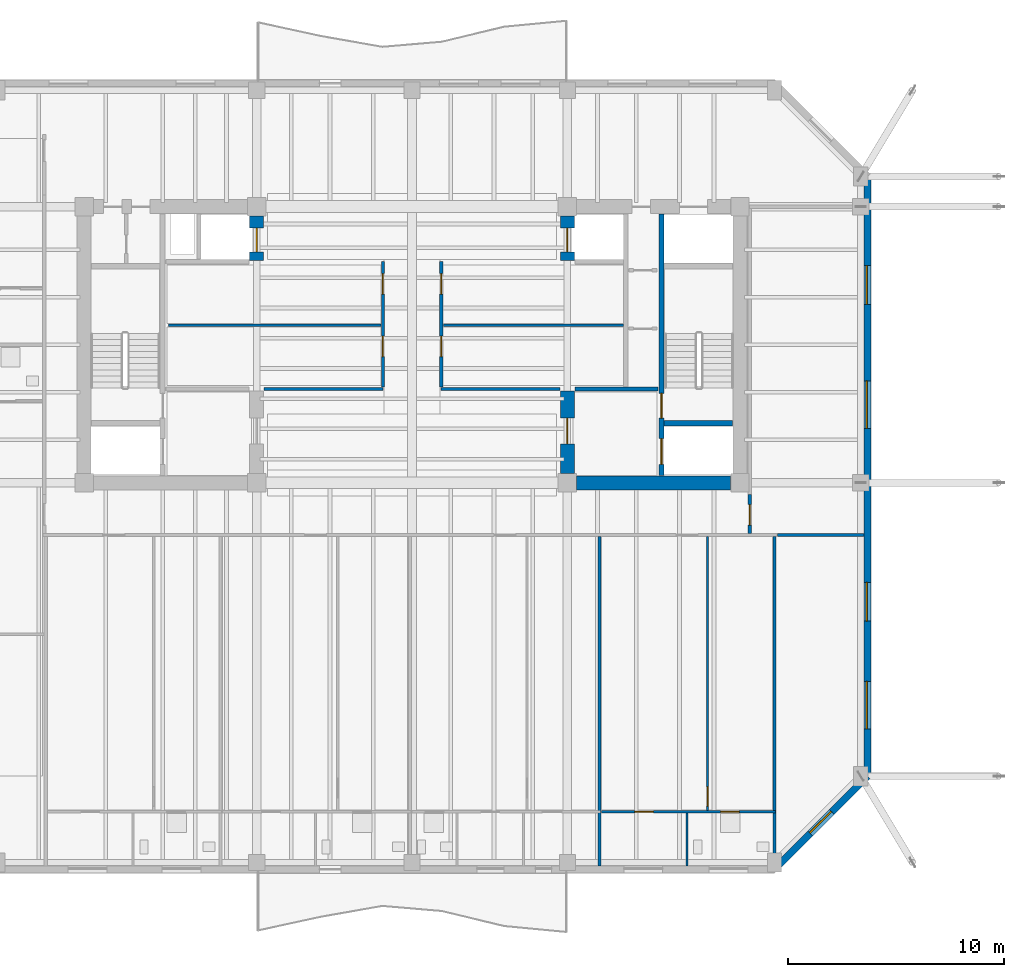
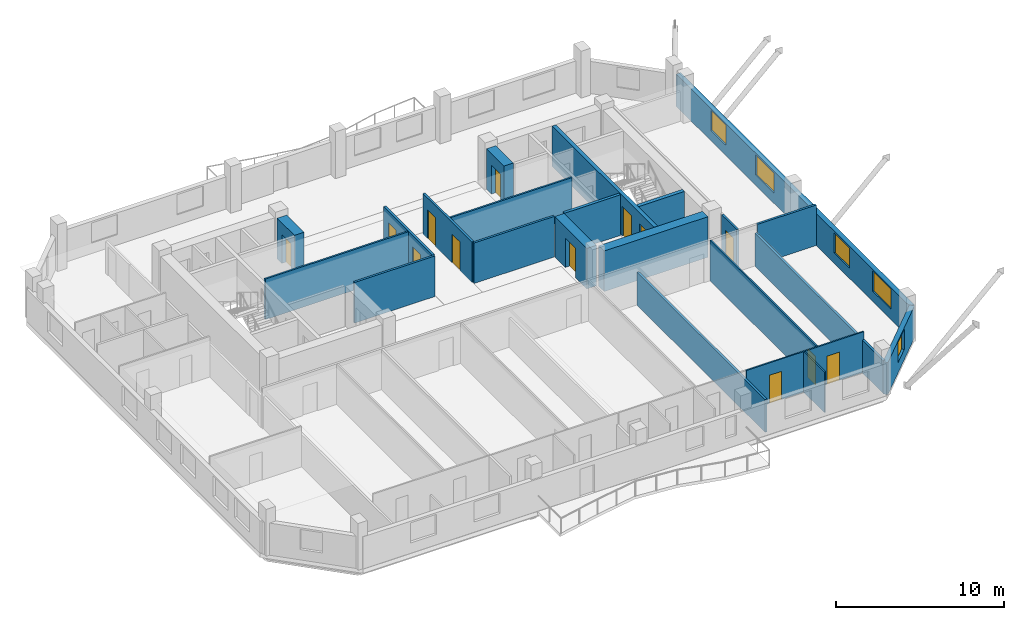
# One storey, part 6 of 12: 22 walls, 13 doors, 5 windows, 18 openings.
"""IFC4 building model written with IfcOpenShell, lengths in metres."""

from ifc_helpers import new_model, si_unit, direction, frame, frame_2d, origin, place, context, subcontext, project, spatial, rectangle, extrude, material, layer, layer_set, type_object, element, fill, save


model = new_model("IFC4")

# Units and contexts
model_context = context("Model", 3, precision=1e-05, world=origin(), true_north=direction((0.0, 1.0)))
body_context = subcontext(model_context, "Body", "Model", "MODEL_VIEW")
ifc_project = project(units=[si_unit("LENGTHUNIT", "METRE"), si_unit("AREAUNIT", "SQUARE_METRE"), si_unit("VOLUMEUNIT", "CUBIC_METRE"), si_unit("PLANEANGLEUNIT", "RADIAN"), si_unit("MASSUNIT", "GRAM", prefix="KILO")], contexts=[model_context])

# Site, building, storey
site_placement = place(None, origin())
site = spatial("IfcSite", under=ifc_project, at=site_placement, CompositionType="ELEMENT")
building_placement = place(site_placement, origin())
building = spatial("IfcBuilding", under=site, at=building_placement, Name="Kranthara Brick Stack", CompositionType="ELEMENT")
storey_placement = place(building_placement, frame((0.0, 0.0, 224.5)))
storey = spatial("IfcBuildingStorey", under=building, at=storey_placement, Name="L58", CompositionType="ELEMENT", Elevation=224.5)

# Wall, openings, windows
ifc_material_1 = material(Name="Warm buff clay brick masonry M15", Category="masonry")
ifc_layer_1 = layer(ifc_material_1, 0.320068359375)
ifc_layer_set_1 = layer_set([ifc_layer_1], Name="Warm buff clay brick masonry M15")
wall_type_1 = type_object("IfcWallType", Name="WL-BRK-UPPR-320", PredefinedType="STANDARD", material=ifc_layer_set_1)
wall_1_placement = place(storey_placement, frame((49.1201171875, 35.0, 0.0), z_axis=(0.0, 0.0, 1.0), x_axis=(0.0, -1.0, 0.0)))
wall_1 = element("IfcWall", 1, at=wall_1_placement, inside=storey, type_object=wall_type_1, Name="L58 Exterior Brick Facade Wall EAST 1", PredefinedType="STANDARD", context=body_context, shape_type="SweptSolid", body=[
    extrude(rectangle(XDim=27.800048828125, YDim=0.320068359375, at=frame_2d((13.89990234375, 0.0))), origin(), (0.0, 0.0, 1.0), 2.3349609375),
])
opening_1_placement = place(wall_1_placement, frame((4.1279296875, 0.0, 0.75)))
opening_1 = element("IfcOpeningElement", 2, at=opening_1_placement, cuts=wall_1, Name="Opening WN07", PredefinedType="OPENING", context=body_context, shape_type="SweptSolid", body=[
    extrude(rectangle(XDim=1.800048828125, YDim=1.465087890625, at=frame_2d((0.89990234375, 0.732421875))), frame((0.0, 0.169921875, 0.0), z_axis=(0.0, -1.0, 0.0), x_axis=(1.0, 0.0, 0.0)), (0.0, 0.0, 1.0), 0.340087890625),
])
opening_2_placement = place(wall_1_placement, frame((9.471923828125, 0.0, 0.75)))
opening_2 = element("IfcOpeningElement", 3, at=opening_2_placement, cuts=wall_1, Name="Opening WN08", PredefinedType="OPENING", context=body_context, shape_type="SweptSolid", body=[
    extrude(rectangle(XDim=2.199951171875, YDim=1.465087890625, at=frame_2d((1.10009765625, 0.732421875))), frame((0.0, 0.169921875, 0.0), z_axis=(0.0, -1.0, 0.0), x_axis=(1.0, 0.0, 0.0)), (0.0, 0.0, 1.0), 0.340087890625),
])
opening_3_placement = place(wall_1_placement, frame((18.81494140625, 0.0, 0.75)))
opening_3 = element("IfcOpeningElement", 4, at=opening_3_placement, cuts=wall_1, Name="Opening WN07", PredefinedType="OPENING", context=body_context, shape_type="SweptSolid", body=[
    extrude(rectangle(XDim=1.800048828125, YDim=1.465087890625, at=frame_2d((0.89990234375, 0.732421875))), frame((0.0, 0.169921875, 0.0), z_axis=(0.0, -1.0, 0.0), x_axis=(1.0, 0.0, 0.0)), (0.0, 0.0, 1.0), 0.340087890625),
])
opening_4_placement = place(wall_1_placement, frame((23.405029296875, 0.0, 0.75)))
opening_4 = element("IfcOpeningElement", 5, at=opening_4_placement, cuts=wall_1, Name="Opening WN08", PredefinedType="OPENING", context=body_context, shape_type="SweptSolid", body=[
    extrude(rectangle(XDim=2.199951171875, YDim=1.465087890625, at=frame_2d((1.10009765625, 0.732421875))), frame((0.0, 0.169921875, 0.0), z_axis=(0.0, -1.0, 0.0), x_axis=(1.0, 0.0, 0.0)), (0.0, 0.0, 1.0), 0.340087890625),
])
ifc_material_2 = material(Name="Double-glazed low-E solar control glass", Category="glass")
window_type_1 = type_object("IfcWindowType", Name="WN-RES-1800x1850", PartitioningType="DOUBLE_PANEL_VERTICAL", PredefinedType="WINDOW", material=ifc_material_2)
window_1_placement = place(opening_1_placement, origin())
window_1 = element("IfcWindow", 6, at=window_1_placement, inside=storey, type_object=window_type_1, Name="L58 East Deep-Set Brick Window 01", OverallHeight=1.465087890625, OverallWidth=1.800048828125, PartitioningType="SINGLE_PANEL", PredefinedType="WINDOW", context=body_context, shape_type="SweptSolid", body=[
    extrude(rectangle(XDim=1.800048828125, YDim=1.465087890625, at=frame_2d((0.89990234375, 0.732421875))), frame((0.0, -0.010009765625, 0.0), z_axis=(0.0, -1.0, 0.0), x_axis=(1.0, 0.0, 0.0)), (0.0, 0.0, 1.0), 0.06005859375),
])
fill(opening_1, window_1)
window_2_placement = place(opening_3_placement, origin())
window_2 = element("IfcWindow", 7, at=window_2_placement, inside=storey, type_object=window_type_1, Name="L58 East Deep-Set Brick Window 03", OverallHeight=1.465087890625, OverallWidth=1.800048828125, PartitioningType="SINGLE_PANEL", PredefinedType="WINDOW", context=body_context, shape_type="SweptSolid", body=[
    extrude(rectangle(XDim=1.800048828125, YDim=1.465087890625, at=frame_2d((0.89990234375, 0.732421875))), frame((0.0, -0.010009765625, 0.0), z_axis=(0.0, -1.0, 0.0), x_axis=(1.0, 0.0, 0.0)), (0.0, 0.0, 1.0), 0.06005859375),
])
fill(opening_3, window_2)
ifc_material_3 = material(Name="Double-glazed low-E solar control glass", Category="glass")
window_type_2 = type_object("IfcWindowType", Name="WN-RES-2200x1850", PartitioningType="TRIPLE_PANEL_VERTICAL", PredefinedType="WINDOW", material=ifc_material_3)
window_3_placement = place(opening_2_placement, origin())
window_3 = element("IfcWindow", 8, at=window_3_placement, inside=storey, type_object=window_type_2, Name="L58 East Deep-Set Brick Window 02", OverallHeight=1.465087890625, OverallWidth=2.199951171875, PartitioningType="SINGLE_PANEL", PredefinedType="WINDOW", context=body_context, shape_type="SweptSolid", body=[
    extrude(rectangle(XDim=2.199951171875, YDim=1.465087890625, at=frame_2d((1.10009765625, 0.732421875))), frame((0.0, -0.010009765625, 0.0), z_axis=(0.0, -1.0, 0.0), x_axis=(1.0, 0.0, 0.0)), (0.0, 0.0, 1.0), 0.06005859375),
])
fill(opening_2, window_3)
window_4_placement = place(opening_4_placement, origin())
window_4 = element("IfcWindow", 9, at=window_4_placement, inside=storey, type_object=window_type_2, Name="L58 East Deep-Set Brick Window 04", OverallHeight=1.465087890625, OverallWidth=2.199951171875, PartitioningType="SINGLE_PANEL", PredefinedType="WINDOW", context=body_context, shape_type="SweptSolid", body=[
    extrude(rectangle(XDim=2.199951171875, YDim=1.465087890625, at=frame_2d((1.10009765625, 0.732421875))), frame((0.0, -0.010009765625, 0.0), z_axis=(0.0, -1.0, 0.0), x_axis=(1.0, 0.0, 0.0)), (0.0, 0.0, 1.0), 0.06005859375),
])
fill(opening_4, window_4)

# Wall, opening, window
wall_2_placement = place(storey_placement, frame((49.1201171875, 7.199951171875, 0.0), z_axis=(0.0, 0.0, 1.0), x_axis=(-0.707106781187, -0.707106781187, 0.0)))
wall_2 = element("IfcWall", 10, at=wall_2_placement, inside=storey, type_object=wall_type_1, Name="L58 Exterior Brick Facade Wall SE 1", PredefinedType="STANDARD", context=body_context, shape_type="SweptSolid", body=[
    extrude(rectangle(XDim=6.109619140625, YDim=0.320068359375, at=frame_2d((3.0546875, 0.0))), origin(), (0.0, 0.0, 1.0), 2.3349609375),
])
opening_5_placement = place(wall_2_placement, frame((2.35498046875, 0.0, 0.75)))
opening_5 = element("IfcOpeningElement", 11, at=opening_5_placement, cuts=wall_2, Name="Opening WN10", PredefinedType="OPENING", context=body_context, shape_type="SweptSolid", body=[
    extrude(rectangle(XDim=1.39990234375, YDim=1.465087890625, at=frame_2d((0.699951171875, 0.732421875))), frame((0.0, 0.169921875, 0.0), z_axis=(0.0, -1.0, 0.0), x_axis=(1.0, 0.0, 0.0)), (0.0, 0.0, 1.0), 0.340087890625),
])
ifc_material_4 = material(Name="Double-glazed low-E solar control glass", Category="glass")
window_type_3 = type_object("IfcWindowType", Name="WN-CHM-1400x1750", PartitioningType="SINGLE_PANEL", PredefinedType="WINDOW", material=ifc_material_4)
window_5_placement = place(opening_5_placement, origin())
window_5 = element("IfcWindow", 12, at=window_5_placement, inside=storey, type_object=window_type_3, Name="L58 SE Chamfer Corner Window", OverallHeight=1.465087890625, OverallWidth=1.39990234375, PartitioningType="SINGLE_PANEL", PredefinedType="WINDOW", context=body_context, shape_type="SweptSolid", body=[
    extrude(rectangle(XDim=1.39990234375, YDim=1.465087890625, at=frame_2d((0.699951171875, 0.732421875))), frame((0.0, -0.010009765625, 0.0), z_axis=(0.0, -1.0, 0.0), x_axis=(1.0, 0.0, 0.0)), (0.0, 0.0, 1.0), 0.06005859375),
])
fill(opening_5, window_5)

# Wall, openings, doors
ifc_material_5 = material(Name="Concrete C50/60", Category="concrete")
ifc_layer_2 = layer(ifc_material_5, 0.25)
ifc_layer_set_2 = layer_set([ifc_layer_2], Name="Concrete C50/60")
wall_type_2 = type_object("IfcWallType", Name="WL-CORE-250", PredefinedType="SHEAR", material=ifc_layer_set_2)
wall_3_placement = place(storey_placement, frame((39.56494140625, 21.135009765625, 0.0), z_axis=(0.0, 0.0, 1.0), x_axis=(0.0, 1.0, 0.0)))
wall_3 = element("IfcWall", 13, at=wall_3_placement, inside=storey, type_object=wall_type_2, Name="L58 East Core Stair Bearing Spine Wall", PredefinedType="SHEAR", context=body_context, shape_type="SweptSolid", body=[
    extrude(rectangle(XDim=12.1298828125, YDim=0.25, at=frame_2d((6.06494140625, 0.0))), origin(), (0.0, 0.0, 1.0), 2.949951171875),
])
opening_6_placement = place(wall_3_placement, frame((0.514892578125, 0.0, 0.0)))
opening_6 = element("IfcOpeningElement", 14, at=opening_6_placement, cuts=wall_3, Name="Opening LD01", PredefinedType="OPENING", context=body_context, shape_type="SweptSolid", body=[
    extrude(rectangle(XDim=1.199951171875, YDim=2.14990234375, at=frame_2d((0.60009765625, 1.074951171875))), frame((0.0, 0.135009765625, 0.0), z_axis=(0.0, -1.0, 0.0), x_axis=(1.0, 0.0, 0.0)), (0.0, 0.0, 1.0), 0.27001953125),
])
opening_7_placement = place(wall_3_placement, frame((2.6650390625, 0.0, 0.0)))
opening_7 = element("IfcOpeningElement", 15, at=opening_7_placement, cuts=wall_3, Name="Opening D05", PredefinedType="OPENING", context=body_context, shape_type="SweptSolid", body=[
    extrude(rectangle(XDim=1.14990234375, YDim=2.14990234375, at=frame_2d((0.574951171875, 1.074951171875))), frame((0.0, 0.135009765625, 0.0), z_axis=(0.0, -1.0, 0.0), x_axis=(1.0, 0.0, 0.0)), (0.0, 0.0, 1.0), 0.27001953125),
])
ifc_material_6 = material(Name="Stainless steel sliding landing door", Category="steel")
door_type_1 = type_object("IfcDoorType", Name="DR-LD-FF1200", OperationType="DOUBLE_DOOR_SLIDING", PredefinedType="DOOR", material=ifc_material_6)
door_1_placement = place(opening_6_placement, origin())
door_1 = element("IfcDoor", 16, at=door_1_placement, inside=storey, type_object=door_type_1, Name="L58 Firefighting Lift FF-02 Landing Door", OperationType="DOUBLE_DOOR_SLIDING", OverallHeight=2.14990234375, OverallWidth=1.199951171875, PredefinedType="DOOR", context=body_context, shape_type="SweptSolid", body=[
    extrude(rectangle(XDim=1.199951171875, YDim=2.14990234375, at=frame_2d((0.60009765625, 1.074951171875))), frame((0.0, 0.02490234375, 0.0), z_axis=(0.0, -1.0, 0.0), x_axis=(1.0, 0.0, 0.0)), (0.0, 0.0, 1.0), 0.050048828125),
])
fill(opening_6, door_1)
ifc_material_7 = material(Name="Solid-core hardwood timber leaf in steel frame", Category="steel")
door_type_2 = type_object("IfcDoorType", Name="DR-ST-1150", OperationType="NOTDEFINED", PredefinedType="DOOR", material=ifc_material_7)
door_2_placement = place(opening_7_placement, origin())
door_2 = element("IfcDoor", 17, at=door_2_placement, inside=storey, type_object=door_type_2, Name="L58 Exit Stair ST02 Door", OperationType="SINGLE_SWING_LEFT", OverallHeight=2.14990234375, OverallWidth=1.14990234375, PredefinedType="DOOR", context=body_context, shape_type="SweptSolid", body=[
    extrude(rectangle(XDim=1.14990234375, YDim=2.14990234375, at=frame_2d((0.574951171875, 1.074951171875))), frame((0.0, 0.02490234375, 0.0), z_axis=(0.0, -1.0, 0.0), x_axis=(1.0, 0.0, 0.0)), (0.0, 0.0, 1.0), 0.050048828125),
])
fill(opening_7, door_2)

# Wall
wall_4_placement = place(storey_placement, frame((39.68994140625, 23.570068359375, 0.0), z_axis=(0.0, 0.0, 1.0), x_axis=(1.0, 0.0, 0.0)))
element("IfcWall", 18, at=wall_4_placement, inside=storey, type_object=wall_type_2, Name="L58 East Stairwell Bearing Wall EFF", PredefinedType="SHEAR", context=body_context, shape_type="SweptSolid", body=[
    extrude(rectangle(XDim=3.175048828125, YDim=0.25, at=frame_2d((1.58740234375, 0.0))), origin(), (0.0, 0.0, 1.0), 2.949951171875),
])

# Wall, opening, door
ifc_material_8 = material(Name="Concrete C60/75", Category="concrete")
ifc_layer_3 = layer(ifc_material_8, 0.64990234375)
ifc_layer_set_3 = layer_set([ifc_layer_3], Name="Concrete C60/75")
wall_type_3 = type_object("IfcWallType", Name="WL-CORE-650", PredefinedType="SHEAR", material=ifc_layer_set_3)
wall_5_placement = place(storey_placement, frame((20.800048828125, 31.10009765625, 0.0), z_axis=(0.0, 0.0, 1.0), x_axis=(0.0, 1.0, 0.0)))
wall_5 = element("IfcWall", 19, at=wall_5_placement, inside=storey, type_object=wall_type_3, Name="L58 West Core High-Rise Lift Wall", PredefinedType="SHEAR", context=body_context, shape_type="SweptSolid", body=[
    extrude(rectangle(XDim=2.06982421875, YDim=0.64990234375, at=frame_2d((1.034912109375, 0.0))), origin(), (0.0, 0.0, 1.0), 2.949951171875),
])
opening_8_placement = place(wall_5_placement, frame((0.39990234375, 0.0, 0.0)))
opening_8 = element("IfcOpeningElement", 20, at=opening_8_placement, cuts=wall_5, Name="Opening LD02", PredefinedType="OPENING", context=body_context, shape_type="SweptSolid", body=[
    extrude(rectangle(XDim=1.10009765625, YDim=2.10009765625, at=frame_2d((0.550048828125, 1.050048828125))), frame((0.0, 0.3349609375, 0.0), z_axis=(0.0, -1.0, 0.0), x_axis=(1.0, 0.0, 0.0)), (0.0, 0.0, 1.0), 0.669921875),
])
ifc_material_9 = material(Name="Stainless steel sliding landing door", Category="steel")
door_type_3 = type_object("IfcDoorType", Name="DR-LD-PL1100", OperationType="DOUBLE_DOOR_SLIDING", PredefinedType="DOOR", material=ifc_material_9)
door_3_placement = place(opening_8_placement, origin())
door_3 = element("IfcDoor", 21, at=door_3_placement, inside=storey, type_object=door_type_3, Name="L58 PL-07 Lift Landing Door", OperationType="DOUBLE_DOOR_SLIDING", OverallHeight=2.10009765625, OverallWidth=1.10009765625, PredefinedType="DOOR", context=body_context, shape_type="SweptSolid", body=[
    extrude(rectangle(XDim=1.10009765625, YDim=2.10009765625, at=frame_2d((0.550048828125, 1.050048828125))), frame((0.0, 0.02490234375, 0.0), z_axis=(0.0, -1.0, 0.0), x_axis=(1.0, 0.0, 0.0)), (0.0, 0.0, 1.0), 0.050048828125),
])
fill(opening_8, door_3)

# Wall
wall_6_placement = place(storey_placement, frame((35.6298828125, 20.800048828125, 0.0), z_axis=(0.0, 0.0, 1.0), x_axis=(1.0, 0.0, 0.0)))
element("IfcWall", 22, at=wall_6_placement, inside=storey, type_object=wall_type_3, Name="L58 East Core Shear Wall South", PredefinedType="SHEAR", context=body_context, shape_type="SweptSolid", body=[
    extrude(rectangle(XDim=7.14013671875, YDim=0.64990234375, at=frame_2d((3.570068359375, 0.0))), origin(), (0.0, 0.0, 1.0), 2.949951171875),
])

# Wall, opening, door
wall_7_placement = place(storey_placement, frame((35.199951171875, 21.22998046875, 0.0), z_axis=(0.0, 0.0, 1.0), x_axis=(0.0, 1.0, 0.0)))
wall_7 = element("IfcWall", 23, at=wall_7_placement, inside=storey, type_object=wall_type_3, Name="L58 East Core Lobby Shear Wall", PredefinedType="SHEAR", context=body_context, shape_type="SweptSolid", body=[
    extrude(rectangle(XDim=3.820068359375, YDim=0.64990234375, at=frame_2d((1.91015625, 0.0))), origin(), (0.0, 0.0, 1.0), 2.949951171875),
])
opening_9_placement = place(wall_7_placement, frame((1.3701171875, 0.0, 0.0)))
opening_9 = element("IfcOpeningElement", 24, at=opening_9_placement, cuts=wall_7, Name="Opening D06", PredefinedType="OPENING", context=body_context, shape_type="SweptSolid", body=[
    extrude(rectangle(XDim=1.199951171875, YDim=2.14990234375, at=frame_2d((0.60009765625, 1.074951171875))), frame((0.0, 0.3349609375, 0.0), z_axis=(0.0, -1.0, 0.0), x_axis=(1.0, 0.0, 0.0)), (0.0, 0.0, 1.0), 0.669921875),
])
ifc_material_10 = material(Name="Solid-core hardwood timber leaf in steel frame", Category="steel")
door_type_4 = type_object("IfcDoorType", Name="DR-FFL-1200", OperationType="NOTDEFINED", PredefinedType="DOOR", material=ifc_material_10)
door_4_placement = place(opening_9_placement, origin())
door_4 = element("IfcDoor", 25, at=door_4_placement, inside=storey, type_object=door_type_4, Name="L58 East Firefighting Lobby Door", OperationType="SINGLE_SWING_RIGHT", OverallHeight=2.14990234375, OverallWidth=1.199951171875, PredefinedType="DOOR", context=body_context, shape_type="SweptSolid", body=[
    extrude(rectangle(XDim=1.199951171875, YDim=2.14990234375, at=frame_2d((0.60009765625, 1.074951171875))), frame((0.0, 0.02490234375, 0.0), z_axis=(0.0, -1.0, 0.0), x_axis=(1.0, 0.0, 0.0)), (0.0, 0.0, 1.0), 0.050048828125),
])
fill(opening_9, door_4)

wall_8_placement = place(storey_placement, frame((35.199951171875, 31.10009765625, 0.0), z_axis=(0.0, 0.0, 1.0), x_axis=(0.0, 1.0, 0.0)))
wall_8 = element("IfcWall", 26, at=wall_8_placement, inside=storey, type_object=wall_type_3, Name="L58 East Core High-Rise Lift Wall", PredefinedType="SHEAR", context=body_context, shape_type="SweptSolid", body=[
    extrude(rectangle(XDim=2.06982421875, YDim=0.64990234375, at=frame_2d((1.034912109375, 0.0))), origin(), (0.0, 0.0, 1.0), 2.949951171875),
])
opening_10_placement = place(wall_8_placement, frame((0.39990234375, 0.0, 0.0)))
opening_10 = element("IfcOpeningElement", 27, at=opening_10_placement, cuts=wall_8, Name="Opening LD02", PredefinedType="OPENING", context=body_context, shape_type="SweptSolid", body=[
    extrude(rectangle(XDim=1.10009765625, YDim=2.10009765625, at=frame_2d((0.550048828125, 1.050048828125))), frame((0.0, 0.3349609375, 0.0), z_axis=(0.0, -1.0, 0.0), x_axis=(1.0, 0.0, 0.0)), (0.0, 0.0, 1.0), 0.669921875),
])
door_5_placement = place(opening_10_placement, origin())
door_5 = element("IfcDoor", 28, at=door_5_placement, inside=storey, type_object=door_type_3, Name="L58 PL-08 Lift Landing Door", OperationType="DOUBLE_DOOR_SLIDING", OverallHeight=2.10009765625, OverallWidth=1.10009765625, PredefinedType="DOOR", context=body_context, shape_type="SweptSolid", body=[
    extrude(rectangle(XDim=1.10009765625, YDim=2.10009765625, at=frame_2d((0.550048828125, 1.050048828125))), frame((0.0, 0.02490234375, 0.0), z_axis=(0.0, -1.0, 0.0), x_axis=(1.0, 0.0, 0.0)), (0.0, 0.0, 1.0), 0.050048828125),
])
fill(opening_10, door_5)

# Wall, openings, doors
ifc_material_11 = material(Name="Moisture-resistant wet-room partition", Category="other")
ifc_layer_4 = layer(ifc_material_11, 0.10009765625)
ifc_layer_set_4 = layer_set([ifc_layer_4], Name="Moisture-resistant wet-room partition")
wall_type_4 = type_object("IfcWallType", Name="WL-PART-100", PredefinedType="PARTITIONING", material=ifc_layer_set_4)
wall_9_placement = place(storey_placement, frame((36.77294921875, 5.550048828125, 0.0), z_axis=(0.0, 0.0, 1.0), x_axis=(1.0, 0.0, 0.0)))
wall_9 = element("IfcWall", 29, at=wall_9_placement, inside=storey, type_object=wall_type_4, Name="L58 Interior Partition 025", PredefinedType="PARTITIONING", context=body_context, shape_type="SweptSolid", body=[
    extrude(rectangle(XDim=8.067138671875, YDim=0.10009765625, at=frame_2d((4.03369140625, 0.0))), origin(), (0.0, 0.0, 1.0), 2.949951171875),
])
opening_11_placement = place(wall_9_placement, frame((1.56103515625, 0.0, 0.0)))
opening_11 = element("IfcOpeningElement", 30, at=opening_11_placement, cuts=wall_9, Name="Opening D16", PredefinedType="OPENING", context=body_context, shape_type="SweptSolid", body=[
    extrude(rectangle(XDim=0.85009765625, YDim=2.050048828125, at=frame_2d((0.425048828125, 1.02490234375))), frame((0.0, 0.06005859375, 0.0), z_axis=(0.0, -1.0, 0.0), x_axis=(1.0, 0.0, 0.0)), (0.0, 0.0, 1.0), 0.1201171875),
])
opening_12_placement = place(wall_9_placement, frame((5.534912109375, 0.0, 0.0)))
opening_12 = element("IfcOpeningElement", 31, at=opening_12_placement, cuts=wall_9, Name="Opening D17", PredefinedType="OPENING", context=body_context, shape_type="SweptSolid", body=[
    extrude(rectangle(XDim=0.85009765625, YDim=2.050048828125, at=frame_2d((0.425048828125, 1.02490234375))), frame((0.0, 0.06005859375, 0.0), z_axis=(0.0, -1.0, 0.0), x_axis=(1.0, 0.0, 0.0)), (0.0, 0.0, 1.0), 0.1201171875),
])
ifc_material_12 = material(Name="Solid-core hardwood timber leaf in steel frame", Category="steel")
door_type_5 = type_object("IfcDoorType", Name="DR-INT-850", OperationType="NOTDEFINED", PredefinedType="DOOR", material=ifc_material_12)
door_6_placement = place(opening_11_placement, origin())
door_6 = element("IfcDoor", 32, at=door_6_placement, inside=storey, type_object=door_type_5, Name="L58 Unit L58D Kitchen 23", OperationType="SINGLE_SWING_LEFT", OverallHeight=2.050048828125, OverallWidth=0.85009765625, PredefinedType="DOOR", context=body_context, shape_type="SweptSolid", body=[
    extrude(rectangle(XDim=0.85009765625, YDim=2.050048828125, at=frame_2d((0.425048828125, 1.02490234375))), frame((0.0, 0.02490234375, 0.0), z_axis=(0.0, -1.0, 0.0), x_axis=(1.0, 0.0, 0.0)), (0.0, 0.0, 1.0), 0.050048828125),
])
fill(opening_11, door_6)
ifc_material_13 = material(Name="Solid-core hardwood timber leaf in steel frame", Category="steel")
door_type_6 = type_object("IfcDoorType", Name="DR-WET-850", OperationType="NOTDEFINED", PredefinedType="DOOR", material=ifc_material_13)
door_7_placement = place(opening_12_placement, origin())
door_7 = element("IfcDoor", 33, at=door_7_placement, inside=storey, type_object=door_type_6, Name="L58 Unit L58D Bathroom 24", OperationType="SINGLE_SWING_RIGHT", OverallHeight=2.050048828125, OverallWidth=0.85009765625, PredefinedType="DOOR", context=body_context, shape_type="SweptSolid", body=[
    extrude(rectangle(XDim=0.85009765625, YDim=2.050048828125, at=frame_2d((0.425048828125, 1.02490234375))), frame((0.0, 0.02490234375, 0.0), z_axis=(0.0, -1.0, 0.0), x_axis=(1.0, 0.0, 0.0)), (0.0, 0.0, 1.0), 0.050048828125),
])
fill(opening_12, door_7)

# Wall, opening, door
wall_10_placement = place(storey_placement, frame((41.699951171875, 5.60498046875, 0.0), z_axis=(0.0, 0.0, 1.0), x_axis=(0.0, 1.0, 0.0)))
wall_10 = element("IfcWall", 34, at=wall_10_placement, inside=storey, type_object=wall_type_4, Name="L58 Interior Partition 026", PredefinedType="PARTITIONING", context=body_context, shape_type="SweptSolid", body=[
    extrude(rectangle(XDim=12.695068359375, YDim=0.10009765625, at=frame_2d((6.34765625, 0.0))), origin(), (0.0, 0.0, 1.0), 2.949951171875),
])
opening_13_placement = place(wall_10_placement, frame((0.205078125, 0.0, 0.0)))
opening_13 = element("IfcOpeningElement", 35, at=opening_13_placement, cuts=wall_10, Name="Opening D15", PredefinedType="OPENING", context=body_context, shape_type="SweptSolid", body=[
    extrude(rectangle(XDim=0.89990234375, YDim=2.050048828125, at=frame_2d((0.449951171875, 1.02490234375))), frame((0.0, 0.06005859375, 0.0), z_axis=(0.0, -1.0, 0.0), x_axis=(1.0, 0.0, 0.0)), (0.0, 0.0, 1.0), 0.1201171875),
])
ifc_material_14 = material(Name="Solid-core hardwood timber leaf in steel frame", Category="steel")
door_type_7 = type_object("IfcDoorType", Name="DR-INT-900", OperationType="NOTDEFINED", PredefinedType="DOOR", material=ifc_material_14)
door_8_placement = place(opening_13_placement, origin())
door_8 = element("IfcDoor", 36, at=door_8_placement, inside=storey, type_object=door_type_7, Name="L58 Unit L58D Study 22", OperationType="SINGLE_SWING_RIGHT", OverallHeight=2.050048828125, OverallWidth=0.89990234375, PredefinedType="DOOR", context=body_context, shape_type="SweptSolid", body=[
    extrude(rectangle(XDim=0.89990234375, YDim=2.050048828125, at=frame_2d((0.449951171875, 1.02490234375))), frame((0.0, 0.02490234375, 0.0), z_axis=(0.0, -1.0, 0.0), x_axis=(1.0, 0.0, 0.0)), (0.0, 0.0, 1.0), 0.050048828125),
])
fill(opening_13, door_8)

# Walls
wall_11_placement = place(storey_placement, frame((40.74609375, 3.044921875, 0.0), z_axis=(0.0, 0.0, 1.0), x_axis=(0.0, 1.0, 0.0)))
element("IfcWall", 37, at=wall_11_placement, inside=storey, type_object=wall_type_4, Name="L58 Interior Partition 027", PredefinedType="PARTITIONING", context=body_context, shape_type="SweptSolid", body=[
    extrude(rectangle(XDim=2.4501953125, YDim=0.10009765625, at=frame_2d((1.22509765625, 0.0))), origin(), (0.0, 0.0, 1.0), 2.949951171875),
])
ifc_material_15 = material(Name="Acoustic gypsum plasterboard partition", Category="other")
ifc_layer_5 = layer(ifc_material_15, 0.1201171875)
ifc_layer_set_5 = layer_set([ifc_layer_5], Name="Acoustic gypsum plasterboard partition")
wall_type_5 = type_object("IfcWallType", Name="WL-PART-120", PredefinedType="PARTITIONING", material=ifc_layer_set_5)
wall_12_placement = place(storey_placement, frame((16.699951171875, 28.10009765625, 0.0), z_axis=(0.0, 0.0, 1.0), x_axis=(1.0, 0.0, 0.0)))
element("IfcWall", 38, at=wall_12_placement, inside=storey, type_object=wall_type_5, Name="L58 Interior Partition 007", PredefinedType="PARTITIONING", context=body_context, shape_type="SweptSolid", body=[
    extrude(rectangle(XDim=9.85009765625, YDim=0.1201171875, at=frame_2d((4.925048828125, 0.0))), origin(), (0.0, 0.0, 1.0), 2.949951171875),
])
wall_13_placement = place(storey_placement, frame((29.449951171875, 28.10009765625, 0.0), z_axis=(0.0, 0.0, 1.0), x_axis=(1.0, 0.0, 0.0)))
element("IfcWall", 39, at=wall_13_placement, inside=storey, type_object=wall_type_5, Name="L58 Interior Partition 009", PredefinedType="PARTITIONING", context=body_context, shape_type="SweptSolid", body=[
    extrude(rectangle(XDim=8.344970703125, YDim=0.1201171875, at=frame_2d((4.17236328125, 0.0))), origin(), (0.0, 0.0, 1.0), 2.949951171875),
])
ifc_material_16 = material(Name="Fire-rated gypsum board partition", Category="other")
ifc_layer_6 = layer(ifc_material_16, 0.14990234375)
ifc_layer_set_6 = layer_set([ifc_layer_6], Name="Fire-rated gypsum board partition")
wall_type_6 = type_object("IfcWallType", Name="WL-PART-150", PredefinedType="PARTITIONING", material=ifc_layer_set_6)
for number, where, z_axis, x_axis, name in (
    (40, (21.1298828125, 25.14990234375, 0.0), (0.0, 0.0, 1.0), (1.0, 0.0, 0.0), "L58 Interior Partition 004"),
    (41, (29.35009765625, 25.14990234375, 0.0), (0.0, 0.0, 1.0), (1.0, 0.0, 0.0), "L58 Interior Partition 005"),
):
    element("IfcWall", number, at=place(storey_placement, frame(where, z_axis=z_axis, x_axis=x_axis)), inside=storey, type_object=wall_type_6, Name=name, PredefinedType="PARTITIONING", context=body_context, shape_type="SweptSolid", body=[
        extrude(rectangle(XDim=5.52001953125, YDim=0.14990234375, at=frame_2d((2.760009765625, 0.0))), origin(), (0.0, 0.0, 1.0), 2.949951171875),
    ])

# Wall, openings, doors
wall_14_placement = place(storey_placement, frame((26.64990234375, 25.22998046875, 0.0), z_axis=(0.0, 0.0, 1.0), x_axis=(0.0, 1.0, 0.0)))
wall_14 = element("IfcWall", 42, at=wall_14_placement, inside=storey, type_object=wall_type_6, Name="L58 Interior Partition 006", PredefinedType="PARTITIONING", context=body_context, shape_type="SweptSolid", body=[
    extrude(rectangle(XDim=5.820068359375, YDim=0.14990234375, at=frame_2d((2.91015625, 0.0))), origin(), (0.0, 0.0, 1.0), 2.949951171875),
])
opening_14_placement = place(wall_14_placement, frame((1.419921875, 0.0, 0.0)))
opening_14 = element("IfcOpeningElement", 43, at=opening_14_placement, cuts=wall_14, Name="Opening D09", PredefinedType="OPENING", context=body_context, shape_type="SweptSolid", body=[
    extrude(rectangle(XDim=0.949951171875, YDim=2.10009765625, at=frame_2d((0.47509765625, 1.050048828125))), frame((0.0, 0.0849609375, 0.0), z_axis=(0.0, -1.0, 0.0), x_axis=(1.0, 0.0, 0.0)), (0.0, 0.0, 1.0), 0.169921875),
])
opening_15_placement = place(wall_14_placement, frame((4.320068359375, 0.0, 0.0)))
opening_15 = element("IfcOpeningElement", 44, at=opening_15_placement, cuts=wall_14, Name="Opening D09", PredefinedType="OPENING", context=body_context, shape_type="SweptSolid", body=[
    extrude(rectangle(XDim=0.949951171875, YDim=2.10009765625, at=frame_2d((0.47509765625, 1.050048828125))), frame((0.0, 0.0849609375, 0.0), z_axis=(0.0, -1.0, 0.0), x_axis=(1.0, 0.0, 0.0)), (0.0, 0.0, 1.0), 0.169921875),
])
ifc_material_17 = material(Name="Solid-core hardwood timber leaf in steel frame", Category="steel")
door_type_8 = type_object("IfcDoorType", Name="DR-FD-950", OperationType="NOTDEFINED", PredefinedType="DOOR", material=ifc_material_17)
door_9_placement = place(opening_14_placement, origin())
door_9 = element("IfcDoor", 45, at=door_9_placement, inside=storey, type_object=door_type_8, Name="L58 Residents Study A 04", OperationType="SINGLE_SWING_RIGHT", OverallHeight=2.10009765625, OverallWidth=0.949951171875, PredefinedType="DOOR", context=body_context, shape_type="SweptSolid", body=[
    extrude(rectangle(XDim=0.949951171875, YDim=2.10009765625, at=frame_2d((0.47509765625, 1.050048828125))), frame((0.0, 0.02490234375, 0.0), z_axis=(0.0, -1.0, 0.0), x_axis=(1.0, 0.0, 0.0)), (0.0, 0.0, 1.0), 0.050048828125),
])
fill(opening_14, door_9)
door_10_placement = place(opening_15_placement, origin())
door_10 = element("IfcDoor", 46, at=door_10_placement, inside=storey, type_object=door_type_8, Name="L58 Residents Media Room 05", OperationType="SINGLE_SWING_LEFT", OverallHeight=2.10009765625, OverallWidth=0.949951171875, PredefinedType="DOOR", context=body_context, shape_type="SweptSolid", body=[
    extrude(rectangle(XDim=0.949951171875, YDim=2.10009765625, at=frame_2d((0.47509765625, 1.050048828125))), frame((0.0, 0.02490234375, 0.0), z_axis=(0.0, -1.0, 0.0), x_axis=(1.0, 0.0, 0.0)), (0.0, 0.0, 1.0), 0.050048828125),
])
fill(opening_15, door_10)

wall_15_placement = place(storey_placement, frame((29.35009765625, 25.22998046875, 0.0), z_axis=(0.0, 0.0, 1.0), x_axis=(0.0, 1.0, 0.0)))
wall_15 = element("IfcWall", 47, at=wall_15_placement, inside=storey, type_object=wall_type_6, Name="L58 Interior Partition 008", PredefinedType="PARTITIONING", context=body_context, shape_type="SweptSolid", body=[
    extrude(rectangle(XDim=5.820068359375, YDim=0.14990234375, at=frame_2d((2.91015625, 0.0))), origin(), (0.0, 0.0, 1.0), 2.949951171875),
])
opening_16_placement = place(wall_15_placement, frame((1.419921875, 0.0, 0.0)))
opening_16 = element("IfcOpeningElement", 48, at=opening_16_placement, cuts=wall_15, Name="Opening D09", PredefinedType="OPENING", context=body_context, shape_type="SweptSolid", body=[
    extrude(rectangle(XDim=0.949951171875, YDim=2.10009765625, at=frame_2d((0.47509765625, 1.050048828125))), frame((0.0, 0.0849609375, 0.0), z_axis=(0.0, -1.0, 0.0), x_axis=(1.0, 0.0, 0.0)), (0.0, 0.0, 1.0), 0.169921875),
])
opening_17_placement = place(wall_15_placement, frame((4.320068359375, 0.0, 0.0)))
opening_17 = element("IfcOpeningElement", 49, at=opening_17_placement, cuts=wall_15, Name="Opening D09", PredefinedType="OPENING", context=body_context, shape_type="SweptSolid", body=[
    extrude(rectangle(XDim=0.949951171875, YDim=2.10009765625, at=frame_2d((0.47509765625, 1.050048828125))), frame((0.0, 0.0849609375, 0.0), z_axis=(0.0, -1.0, 0.0), x_axis=(1.0, 0.0, 0.0)), (0.0, 0.0, 1.0), 0.169921875),
])
door_11_placement = place(opening_16_placement, origin())
door_11 = element("IfcDoor", 50, at=door_11_placement, inside=storey, type_object=door_type_8, Name="L58 Private Tea Room 06", OperationType="SINGLE_SWING_RIGHT", OverallHeight=2.10009765625, OverallWidth=0.949951171875, PredefinedType="DOOR", context=body_context, shape_type="SweptSolid", body=[
    extrude(rectangle(XDim=0.949951171875, YDim=2.10009765625, at=frame_2d((0.47509765625, 1.050048828125))), frame((0.0, 0.02490234375, 0.0), z_axis=(0.0, -1.0, 0.0), x_axis=(1.0, 0.0, 0.0)), (0.0, 0.0, 1.0), 0.050048828125),
])
fill(opening_16, door_11)
door_12_placement = place(opening_17_placement, origin())
door_12 = element("IfcDoor", 51, at=door_12_placement, inside=storey, type_object=door_type_8, Name="L58 Private Dining Room 07", OperationType="SINGLE_SWING_LEFT", OverallHeight=2.10009765625, OverallWidth=0.949951171875, PredefinedType="DOOR", context=body_context, shape_type="SweptSolid", body=[
    extrude(rectangle(XDim=0.949951171875, YDim=2.10009765625, at=frame_2d((0.47509765625, 1.050048828125))), frame((0.0, 0.02490234375, 0.0), z_axis=(0.0, -1.0, 0.0), x_axis=(1.0, 0.0, 0.0)), (0.0, 0.0, 1.0), 0.050048828125),
])
fill(opening_17, door_12)

# Walls
for number, where, z_axis, x_axis, name in (
    (52, (36.693115234375, 3.044921875, 0.0), (0.0, 0.0, 1.0), (0.0, 1.0, 0.0), "L58 Interior Partition 024"),
    (53, (44.800048828125, 3.044921875, 0.0), (0.0, 0.0, 1.0), (0.0, 1.0, 0.0), "L58 Interior Partition 028"),
):
    element("IfcWall", number, at=place(storey_placement, frame(where, z_axis=z_axis, x_axis=x_axis)), inside=storey, type_object=wall_type_6, Name=name, PredefinedType="PARTITIONING", context=body_context, shape_type="SweptSolid", body=[
        extrude(rectangle(XDim=15.255126953125, YDim=0.14990234375, at=frame_2d((7.62744140625, 0.0))), origin(), (0.0, 0.0, 1.0), 2.385009765625),
    ])
wall_16_placement = place(storey_placement, frame((44.929931640625, 18.3798828125, 0.0), z_axis=(0.0, 0.0, 1.0), x_axis=(1.0, 0.0, 0.0)))
element("IfcWall", 54, at=wall_16_placement, inside=storey, type_object=wall_type_6, Name="L58 Interior Partition 041", PredefinedType="PARTITIONING", context=body_context, shape_type="SweptSolid", body=[
    extrude(rectangle(XDim=4.025146484375, YDim=0.14990234375, at=frame_2d((2.0126953125, 0.0))), origin(), (0.0, 0.0, 1.0), 2.949951171875),
])

# Wall, opening, door
wall_17_placement = place(storey_placement, frame((43.64990234375, 18.4599609375, 0.0), z_axis=(0.0, 0.0, 1.0), x_axis=(0.0, 1.0, 0.0)))
wall_17 = element("IfcWall", 55, at=wall_17_placement, inside=storey, type_object=wall_type_6, Name="L58 Interior Partition 043", PredefinedType="PARTITIONING", context=body_context, shape_type="SweptSolid", body=[
    extrude(rectangle(XDim=1.7900390625, YDim=0.14990234375, at=frame_2d((0.89501953125, 0.0))), origin(), (0.0, 0.0, 1.0), 2.949951171875),
])
opening_18_placement = place(wall_17_placement, frame((0.3798828125, 0.0, 0.0)))
opening_18 = element("IfcOpeningElement", 56, at=opening_18_placement, cuts=wall_17, Name="Opening D09", PredefinedType="OPENING", context=body_context, shape_type="SweptSolid", body=[
    extrude(rectangle(XDim=0.949951171875, YDim=2.10009765625, at=frame_2d((0.47509765625, 1.050048828125))), frame((0.0, 0.0849609375, 0.0), z_axis=(0.0, -1.0, 0.0), x_axis=(1.0, 0.0, 0.0)), (0.0, 0.0, 1.0), 0.169921875),
])
door_13_placement = place(opening_18_placement, origin())
door_13 = element("IfcDoor", 57, at=door_13_placement, inside=storey, type_object=door_type_8, Name="L58 East Sky Conservatory Door 33", OperationType="SINGLE_SWING_LEFT", OverallHeight=2.10009765625, OverallWidth=0.949951171875, PredefinedType="DOOR", context=body_context, shape_type="SweptSolid", body=[
    extrude(rectangle(XDim=0.949951171875, YDim=2.10009765625, at=frame_2d((0.47509765625, 1.050048828125))), frame((0.0, 0.02490234375, 0.0), z_axis=(0.0, -1.0, 0.0), x_axis=(1.0, 0.0, 0.0)), (0.0, 0.0, 1.0), 0.050048828125),
])
fill(opening_18, door_13)

# Wall
ifc_material_18 = material(Name="Concrete C40/50", Category="concrete")
ifc_layer_7 = layer(ifc_material_18, 0.199951171875)
ifc_layer_set_7 = layer_set([ifc_layer_7], Name="Concrete C40/50")
wall_type_7 = type_object("IfcWallType", Name="WL-PART-200", PredefinedType="SOLIDWALL", material=ifc_layer_set_7)
wall_18_placement = place(storey_placement, frame((35.550048828125, 25.14990234375, 0.0), z_axis=(0.0, 0.0, 1.0), x_axis=(1.0, 0.0, 0.0)))
element("IfcWall", 58, at=wall_18_placement, inside=storey, type_object=wall_type_7, Name="L58 East Core Cross Wall EFL", PredefinedType="SOLIDWALL", context=body_context, shape_type="SweptSolid", body=[
    extrude(rectangle(XDim=3.849853515625, YDim=0.199951171875, at=frame_2d((1.9248046875, 0.0))), origin(), (0.0, 0.0, 1.0), 2.949951171875),
])

save(model, "model.ifc")
